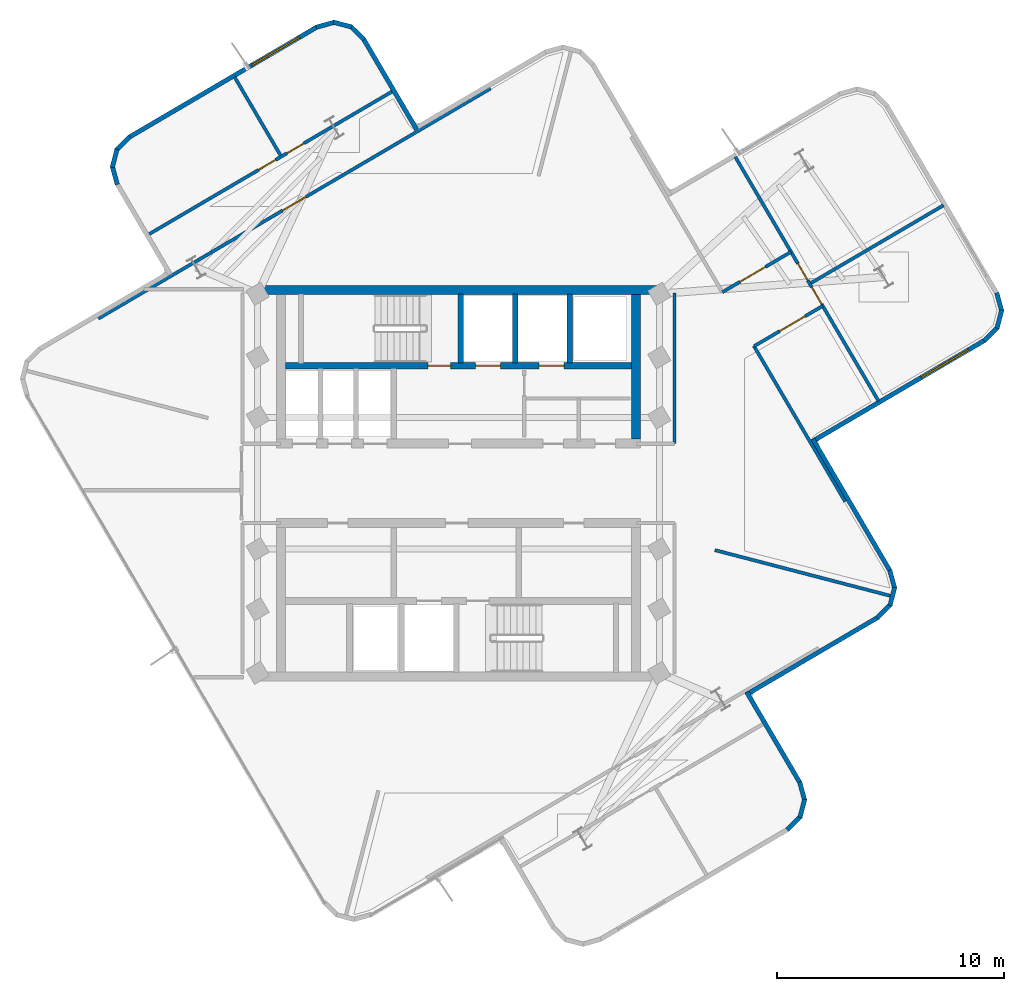
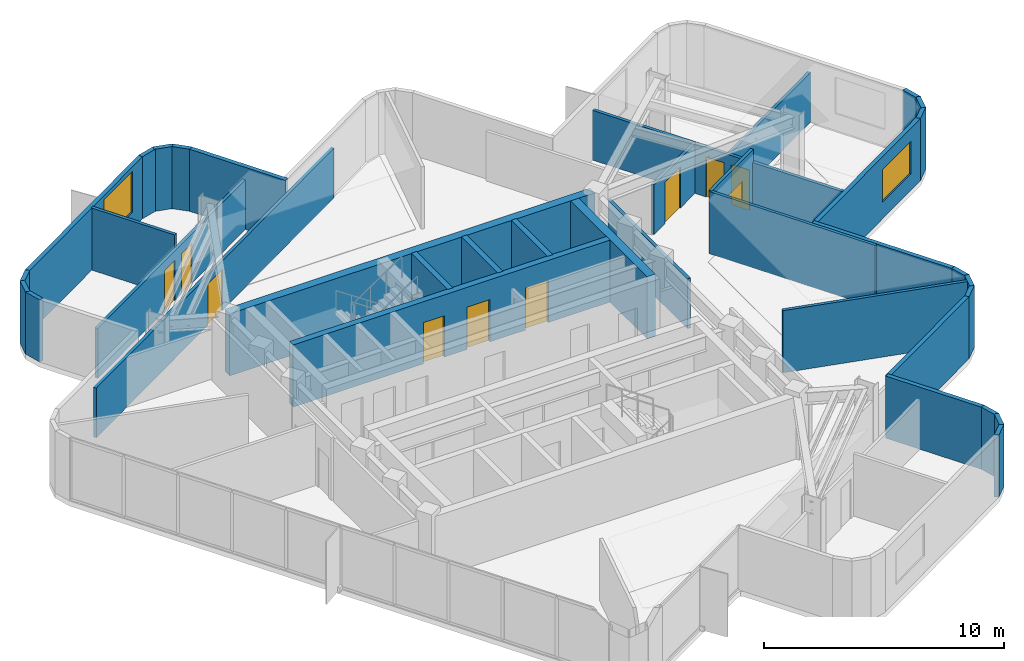
# One storey, part 6 of 9: 37 walls, 10 doors, 2 windows, 12 openings.
"""IFC4 building model written with IfcOpenShell, lengths in metres."""

from ifc_helpers import new_model, si_unit, direction, frame, frame_2d, origin, place, context, subcontext, project, spatial, rectangle, extrude, material, layer, layer_set, type_object, element, fill, save


model = new_model("IFC4")

# Units and contexts
model_context = context("Model", 3, precision=1e-05, world=origin(), true_north=direction((0.0, 1.0)))
body_context = subcontext(model_context, "Body", "Model", "MODEL_VIEW")
ifc_project = project(units=[si_unit("LENGTHUNIT", "METRE"), si_unit("AREAUNIT", "SQUARE_METRE"), si_unit("VOLUMEUNIT", "CUBIC_METRE"), si_unit("PLANEANGLEUNIT", "RADIAN"), si_unit("MASSUNIT", "GRAM", prefix="KILO")], contexts=[model_context])

# Site, building, storey
site_placement = place(None, origin())
site = spatial("IfcSite", under=ifc_project, at=site_placement, CompositionType="ELEMENT")
building_placement = place(site_placement, origin())
building = spatial("IfcBuilding", under=site, at=building_placement, Name="Solmarez Civic Tower", CompositionType="ELEMENT")
storey_placement = place(building_placement, frame((0.0, 0.0, 208.6201171875)))
storey = spatial("IfcBuildingStorey", under=building, at=storey_placement, Name="L55", CompositionType="ELEMENT", Elevation=208.6201171875)

# Walls
ifc_material_1 = material(Name="Concrete C50/60", Category="concrete")
ifc_layer_1 = layer(ifc_material_1, 0.39990234375)
ifc_layer_set_1 = layer_set([ifc_layer_1], Name="Concrete C50/60")
wall_type_1 = type_object("IfcWallType", Name="WALL-CORE-400", PredefinedType="SHEAR", material=ifc_layer_set_1)
wall_1_placement = place(storey_placement, frame((-8.780029296875, 8.510009765625, 0.0), z_axis=(0.0, 0.0, 1.0), x_axis=(1.0, 0.0, 0.0)))
element("IfcWall", 1, at=wall_1_placement, inside=storey, type_object=wall_type_1, Name="L55 Split-Core Structural Wall NCW-N-L55", PredefinedType="SHEAR", context=body_context, shape_type="SweptSolid", body=[
    extrude(rectangle(XDim=17.56005859375, YDim=0.39990234375, at=frame_2d((8.780029296875, 0.0))), origin(), (0.0, 0.0, 1.0), 3.159912109375),
])
wall_2_placement = place(storey_placement, frame((7.820068359375, 8.31005859375, 0.0), z_axis=(0.0, 0.0, 1.0), x_axis=(0.0, -1.0, 0.0)))
element("IfcWall", 2, at=wall_2_placement, inside=storey, type_object=wall_type_1, Name="L55 Split-Core Structural Wall NCW-E-L55", PredefinedType="SHEAR", context=body_context, shape_type="SweptSolid", body=[
    extrude(rectangle(XDim=6.360107421875, YDim=0.39990234375, at=frame_2d((3.18017578125, 0.0))), origin(), (0.0, 0.0, 1.0), 3.159912109375),
])
ifc_material_2 = material(Name="Precast concrete C40/50", Category="concrete")
ifc_layer_2 = layer(ifc_material_2, 0.199951171875)
ifc_layer_set_2 = layer_set([ifc_layer_2], Name="Precast concrete C40/50")
wall_type_2 = type_object("IfcWallType", Name="WALL-EXT-200", PredefinedType="SOLIDWALL", material=ifc_layer_set_2)
wall_3_placement = place(storey_placement, frame((-15.034912109375, 13.1640625, 0.0), z_axis=(0.0, 0.0, 1.0), x_axis=(-0.266246353668, 0.963905015631, 0.0)))
element("IfcWall", 3, at=wall_3_placement, inside=storey, type_object=wall_type_2, Name="L55 Exterior Precast Wall 14", PredefinedType="SOLIDWALL", context=body_context, shape_type="SweptSolid", body=[
    extrude(rectangle(XDim=0.838134765625, YDim=0.199951171875, at=frame_2d((0.4189453125, 0.0))), origin(), (0.0, 0.0, 1.0), 3.159912109375),
])
wall_4_placement = place(storey_placement, frame((-15.257080078125, 13.924072265625, 0.0), z_axis=(0.0, 0.0, 1.0), x_axis=(0.251167733737, 0.967943577658, 0.0)))
element("IfcWall", 4, at=wall_4_placement, inside=storey, type_object=wall_type_2, Name="L55 Exterior Precast Wall 15", PredefinedType="SOLIDWALL", context=body_context, shape_type="SweptSolid", body=[
    extrude(rectangle(XDim=0.82421875, YDim=0.199951171875, at=frame_2d((0.412109375, 0.0))), origin(), (0.0, 0.0, 1.0), 3.159912109375),
])
wall_5_placement = place(storey_placement, frame((-15.073974609375, 14.679931640625, 0.0), z_axis=(0.0, 0.0, 1.0), x_axis=(0.702877524881, 0.711310891957, 0.0)))
element("IfcWall", 5, at=wall_5_placement, inside=storey, type_object=wall_type_2, Name="L55 Exterior Precast Wall 16", PredefinedType="SOLIDWALL", context=body_context, shape_type="SweptSolid", body=[
    extrude(rectangle(XDim=0.839599609375, YDim=0.199951171875, at=frame_2d((0.419921875, 0.0))), origin(), (0.0, 0.0, 1.0), 3.159912109375),
])

# Wall, opening, window
wall_6_placement = place(storey_placement, frame((-14.52392578125, 15.24609375, 0.0), z_axis=(0.0, 0.0, 1.0), x_axis=(0.862483422861, 0.506085314241, 0.0)))
wall_6 = element("IfcWall", 6, at=wall_6_placement, inside=storey, type_object=wall_type_2, Name="L55 Exterior Precast Wall 17", PredefinedType="SOLIDWALL", context=body_context, shape_type="SweptSolid", body=[
    extrude(rectangle(XDim=9.62451171875, YDim=0.199951171875, at=frame_2d((4.812255859375, 0.0))), origin(), (0.0, 0.0, 1.0), 3.159912109375),
])
opening_1_placement = place(wall_6_placement, frame((6.306884765625, 0.0, 0.85009765625)))
opening_1 = element("IfcOpeningElement", 7, at=opening_1_placement, cuts=wall_6, Name="Opening W-02", PredefinedType="OPENING", context=body_context, shape_type="SweptSolid", body=[
    extrude(rectangle(XDim=2.39990234375, YDim=2.10009765625, at=frame_2d((1.199951171875, 1.050048828125))), frame((0.0, 0.10986328125, 0.0), z_axis=(0.0, -1.0, 0.0), x_axis=(1.0, 0.0, 0.0)), (0.0, 0.0, 1.0), 0.219970703125),
])
ifc_material_3 = material(Name="Solar Control Bronze-Tinted Insulating Glass", Category="glass")
window_type_1 = type_object("IfcWindowType", Name="WIN-2400X2100", PartitioningType="SINGLE_PANEL", PredefinedType="WINDOW", material=ifc_material_3)
window_1_placement = place(opening_1_placement, origin())
window_1 = element("IfcWindow", 8, at=window_1_placement, inside=storey, type_object=window_type_1, Name="L55 Exterior Facade Window 17", OverallHeight=2.10009765625, OverallWidth=2.39990234375, PartitioningType="SINGLE_PANEL", PredefinedType="WINDOW", context=body_context, shape_type="SweptSolid", body=[
    extrude(rectangle(XDim=2.39990234375, YDim=2.10009765625, at=frame_2d((1.199951171875, 1.050048828125))), frame((0.0, 0.030029296875, 0.0), z_axis=(0.0, -1.0, 0.0), x_axis=(1.0, 0.0, 0.0)), (0.0, 0.0, 1.0), 0.06005859375),
])
fill(opening_1, window_1)

# Walls
wall_7_placement = place(storey_placement, frame((-6.26904296875, 20.096923828125, 0.0), z_axis=(0.0, 0.0, 1.0), x_axis=(0.963925656212, 0.266171616247, 0.0)))
element("IfcWall", 9, at=wall_7_placement, inside=storey, type_object=wall_type_2, Name="L55 Exterior Precast Wall 18", PredefinedType="SOLIDWALL", context=body_context, shape_type="SweptSolid", body=[
    extrude(rectangle(XDim=0.83837890625, YDim=0.199951171875, at=frame_2d((0.419189453125, 0.0))), origin(), (0.0, 0.0, 1.0), 3.159912109375),
])
wall_8_placement = place(storey_placement, frame((-5.509033203125, 20.319091796875, 0.0), z_axis=(0.0, 0.0, 1.0), x_axis=(0.967962254737, -0.251095745493, 0.0)))
element("IfcWall", 10, at=wall_8_placement, inside=storey, type_object=wall_type_2, Name="L55 Exterior Precast Wall 19", PredefinedType="SOLIDWALL", context=body_context, shape_type="SweptSolid", body=[
    extrude(rectangle(XDim=0.824462890625, YDim=0.199951171875, at=frame_2d((0.412109375, 0.0))), origin(), (0.0, 0.0, 1.0), 3.159912109375),
])
wall_9_placement = place(storey_placement, frame((-4.7529296875, 20.135986328125, 0.0), z_axis=(0.0, 0.0, 1.0), x_axis=(0.711167178618, -0.70302293281, 0.0)))
element("IfcWall", 11, at=wall_9_placement, inside=storey, type_object=wall_type_2, Name="L55 Exterior Precast Wall 20", PredefinedType="SOLIDWALL", context=body_context, shape_type="SweptSolid", body=[
    extrude(rectangle(XDim=0.83935546875, YDim=0.199951171875, at=frame_2d((0.419677734375, 0.0))), origin(), (0.0, 0.0, 1.0), 3.159912109375),
])
wall_10_placement = place(storey_placement, frame((-4.18701171875, 19.5859375, 0.0), z_axis=(0.0, 0.0, 1.0), x_axis=(0.505936854923, -0.862570518178, 0.0)))
element("IfcWall", 12, at=wall_10_placement, inside=storey, type_object=wall_type_2, Name="L55 Exterior Precast Wall 21", PredefinedType="SOLIDWALL", context=body_context, shape_type="SweptSolid", body=[
    extrude(rectangle(XDim=4.640625, YDim=0.199951171875, at=frame_2d((2.3203125, 0.0))), origin(), (0.0, 0.0, 1.0), 3.159912109375),
])
wall_11_placement = place(storey_placement, frame((23.718994140625, 8.39404296875, 0.0), z_axis=(0.0, 0.0, 1.0), x_axis=(0.267253449678, -0.963626272803, 0.0)))
element("IfcWall", 13, at=wall_11_placement, inside=storey, type_object=wall_type_2, Name="L55 Exterior Precast Wall 36", PredefinedType="SOLIDWALL", context=body_context, shape_type="SweptSolid", body=[
    extrude(rectangle(XDim=0.838623046875, YDim=0.199951171875, at=frame_2d((0.41943359375, 0.0))), origin(), (0.0, 0.0, 1.0), 3.159912109375),
])
wall_12_placement = place(storey_placement, frame((23.94189453125, 7.634033203125, 0.0), z_axis=(0.0, 0.0, 1.0), x_axis=(-0.252494280442, -0.967598386906, 0.0)))
element("IfcWall", 14, at=wall_12_placement, inside=storey, type_object=wall_type_2, Name="L55 Exterior Precast Wall 37", PredefinedType="SOLIDWALL", context=body_context, shape_type="SweptSolid", body=[
    extrude(rectangle(XDim=0.82373046875, YDim=0.199951171875, at=frame_2d((0.411865234375, 0.0))), origin(), (0.0, 0.0, 1.0), 3.159912109375),
])
wall_13_placement = place(storey_placement, frame((23.758056640625, 6.87890625, 0.0), z_axis=(0.0, 0.0, 1.0), x_axis=(-0.701851868682, -0.712322928472, 0.0)))
element("IfcWall", 15, at=wall_13_placement, inside=storey, type_object=wall_type_2, Name="L55 Exterior Precast Wall 38", PredefinedType="SOLIDWALL", context=body_context, shape_type="SweptSolid", body=[
    extrude(rectangle(XDim=0.83935546875, YDim=0.199951171875, at=frame_2d((0.419677734375, 0.0))), origin(), (0.0, 0.0, 1.0), 3.159912109375),
])

# Wall, opening, window
wall_14_placement = place(storey_placement, frame((23.208984375, 6.31201171875, 0.0), z_axis=(0.0, 0.0, 1.0), x_axis=(-0.862602827395, -0.505881766988, 0.0)))
wall_14 = element("IfcWall", 16, at=wall_14_placement, inside=storey, type_object=wall_type_2, Name="L55 Exterior Precast Wall 39", PredefinedType="SOLIDWALL", context=body_context, shape_type="SweptSolid", body=[
    extrude(rectangle(XDim=8.841796875, YDim=0.199951171875, at=frame_2d((4.4208984375, 0.0))), origin(), (0.0, 0.0, 1.0), 3.159912109375),
])
opening_2_placement = place(wall_14_placement, frame((0.85009765625, 0.0, 0.85009765625)))
opening_2 = element("IfcOpeningElement", 17, at=opening_2_placement, cuts=wall_14, Name="Opening W-10", PredefinedType="OPENING", context=body_context, shape_type="SweptSolid", body=[
    extrude(rectangle(XDim=2.39990234375, YDim=1.64990234375, at=frame_2d((1.199951171875, 0.824951171875))), frame((0.0, 0.10986328125, 0.0), z_axis=(0.0, -1.0, 0.0), x_axis=(1.0, 0.0, 0.0)), (0.0, 0.0, 1.0), 0.219970703125),
])
window_type_2 = type_object("IfcWindowType", Name="WIN-2400X1650", PartitioningType="SINGLE_PANEL", PredefinedType="WINDOW", material=ifc_material_3)
window_2_placement = place(opening_2_placement, origin())
window_2 = element("IfcWindow", 18, at=window_2_placement, inside=storey, type_object=window_type_2, Name="L55 Exterior Facade Window 39", OverallHeight=1.64990234375, OverallWidth=2.39990234375, PartitioningType="SINGLE_PANEL", PredefinedType="WINDOW", context=body_context, shape_type="SweptSolid", body=[
    extrude(rectangle(XDim=2.39990234375, YDim=1.64990234375, at=frame_2d((1.199951171875, 0.824951171875))), frame((0.0, 0.030029296875, 0.0), z_axis=(0.0, -1.0, 0.0), x_axis=(1.0, 0.0, 0.0)), (0.0, 0.0, 1.0), 0.06005859375),
])
fill(opening_2, window_2)

# Walls
wall_15_placement = place(storey_placement, frame((15.611083984375, 1.947998046875, 0.0), z_axis=(0.0, 0.0, 1.0), x_axis=(0.505999167705, -0.862533965872, 0.0)))
element("IfcWall", 19, at=wall_15_placement, inside=storey, type_object=wall_type_2, Name="L55 Exterior Precast Wall 42", PredefinedType="SOLIDWALL", context=body_context, shape_type="SweptSolid", body=[
    extrude(rectangle(XDim=6.742919921875, YDim=0.199951171875, at=frame_2d((3.37158203125, 0.0))), origin(), (0.0, 0.0, 1.0), 3.159912109375),
])
wall_16_placement = place(storey_placement, frame((19.0029296875, -3.822021484375, 0.0), z_axis=(0.0, 0.0, 1.0), x_axis=(0.266246353668, -0.963905015631, 0.0)))
element("IfcWall", 20, at=wall_16_placement, inside=storey, type_object=wall_type_2, Name="L55 Exterior Precast Wall 43", PredefinedType="SOLIDWALL", context=body_context, shape_type="SweptSolid", body=[
    extrude(rectangle(XDim=0.838134765625, YDim=0.199951171875, at=frame_2d((0.4189453125, 0.0))), origin(), (0.0, 0.0, 1.0), 3.159912109375),
])
wall_17_placement = place(storey_placement, frame((19.22509765625, -4.58203125, 0.0), z_axis=(0.0, 0.0, 1.0), x_axis=(-0.251167733737, -0.967943577658, 0.0)))
element("IfcWall", 21, at=wall_17_placement, inside=storey, type_object=wall_type_2, Name="L55 Exterior Precast Wall 44", PredefinedType="SOLIDWALL", context=body_context, shape_type="SweptSolid", body=[
    extrude(rectangle(XDim=0.82421875, YDim=0.199951171875, at=frame_2d((0.412109375, 0.0))), origin(), (0.0, 0.0, 1.0), 3.159912109375),
])
wall_18_placement = place(storey_placement, frame((19.0419921875, -5.337890625, 0.0), z_axis=(0.0, 0.0, 1.0), x_axis=(-0.702877524881, -0.711310891957, 0.0)))
element("IfcWall", 22, at=wall_18_placement, inside=storey, type_object=wall_type_2, Name="L55 Exterior Precast Wall 45", PredefinedType="SOLIDWALL", context=body_context, shape_type="SweptSolid", body=[
    extrude(rectangle(XDim=0.839599609375, YDim=0.199951171875, at=frame_2d((0.419921875, 0.0))), origin(), (0.0, 0.0, 1.0), 3.159912109375),
])
wall_19_placement = place(storey_placement, frame((18.491943359375, -5.904052734375, 0.0), z_axis=(0.0, 0.0, 1.0), x_axis=(-0.86245977502, -0.506125613333, 0.0)))
element("IfcWall", 23, at=wall_19_placement, inside=storey, type_object=wall_type_2, Name="L55 Exterior Precast Wall 46", PredefinedType="SOLIDWALL", context=body_context, shape_type="SweptSolid", body=[
    extrude(rectangle(XDim=6.7412109375, YDim=0.199951171875, at=frame_2d((3.37060546875, 0.0))), origin(), (0.0, 0.0, 1.0), 3.159912109375),
])
wall_20_placement = place(storey_placement, frame((12.70703125, -9.20703125, 0.0), z_axis=(0.0, 0.0, 1.0), x_axis=(0.505936854923, -0.862570518178, 0.0)))
element("IfcWall", 24, at=wall_20_placement, inside=storey, type_object=wall_type_2, Name="L55 Exterior Precast Wall 49", PredefinedType="SOLIDWALL", context=body_context, shape_type="SweptSolid", body=[
    extrude(rectangle(XDim=4.640625, YDim=0.199951171875, at=frame_2d((2.3203125, 0.0))), origin(), (0.0, 0.0, 1.0), 3.159912109375),
])
wall_21_placement = place(storey_placement, frame((15.034912109375, -13.1640625, 0.0), z_axis=(0.0, 0.0, 1.0), x_axis=(0.266246353668, -0.963905015631, 0.0)))
element("IfcWall", 25, at=wall_21_placement, inside=storey, type_object=wall_type_2, Name="L55 Exterior Precast Wall 50", PredefinedType="SOLIDWALL", context=body_context, shape_type="SweptSolid", body=[
    extrude(rectangle(XDim=0.838134765625, YDim=0.199951171875, at=frame_2d((0.4189453125, 0.0))), origin(), (0.0, 0.0, 1.0), 3.159912109375),
])
wall_22_placement = place(storey_placement, frame((15.257080078125, -13.924072265625, 0.0), z_axis=(0.0, 0.0, 1.0), x_axis=(-0.251167733737, -0.967943577658, 0.0)))
element("IfcWall", 26, at=wall_22_placement, inside=storey, type_object=wall_type_2, Name="L55 Exterior Precast Wall 51", PredefinedType="SOLIDWALL", context=body_context, shape_type="SweptSolid", body=[
    extrude(rectangle(XDim=0.82421875, YDim=0.199951171875, at=frame_2d((0.412109375, 0.0))), origin(), (0.0, 0.0, 1.0), 3.159912109375),
])
wall_23_placement = place(storey_placement, frame((15.073974609375, -14.679931640625, 0.0), z_axis=(0.0, 0.0, 1.0), x_axis=(-0.702877524881, -0.711310891957, 0.0)))
element("IfcWall", 27, at=wall_23_placement, inside=storey, type_object=wall_type_2, Name="L55 Exterior Precast Wall 52", PredefinedType="SOLIDWALL", context=body_context, shape_type="SweptSolid", body=[
    extrude(rectangle(XDim=0.839599609375, YDim=0.199951171875, at=frame_2d((0.419921875, 0.0))), origin(), (0.0, 0.0, 1.0), 3.159912109375),
])
ifc_material_4 = material(Name="Gypsum Board Acoustic Steel-Stud Partition", Category="steel")
ifc_layer_3 = layer(ifc_material_4, 0.14990234375)
ifc_layer_set_3 = layer_set([ifc_layer_3], Name="Gypsum Board Acoustic Steel-Stud Partition")
wall_type_3 = type_object("IfcWallType", Name="WALL-INT-FIRE-150", PredefinedType="PARTITIONING", material=ifc_layer_set_3)
wall_24_placement = place(storey_placement, frame((9.52001953125, 1.75, 0.0), z_axis=(0.0, 0.0, 1.0), x_axis=(0.0, 1.0, 0.0)))
element("IfcWall", 28, at=wall_24_placement, inside=storey, type_object=wall_type_3, Name="L55 Interior Partition CHW-L55-EN1", PredefinedType="PARTITIONING", context=body_context, shape_type="SweptSolid", body=[
    extrude(rectangle(XDim=6.6298828125, YDim=0.14990234375, at=frame_2d((3.31494140625, 0.0))), origin(), (0.0, 0.0, 1.0), 2.52978515625),
])
ifc_layer_4 = layer(ifc_material_4, 0.14501953125)
ifc_layer_set_4 = layer_set([ifc_layer_4], Name="Gypsum Board Acoustic Steel-Stud Partition")
wall_type_4 = type_object("IfcWallType", Name="WALL-INT-PART-150", PredefinedType="PARTITIONING", material=ifc_layer_set_4)
wall_25_placement = place(storey_placement, frame((11.300048828125, -2.944091796875, 0.0), z_axis=(0.0, 0.0, 1.0), x_axis=(0.967711624716, -0.252059936106, 0.0)))
element("IfcWall", 29, at=wall_25_placement, inside=storey, type_object=wall_type_4, Name="L55 Interior Partition PT-L55-QDIV-4", PredefinedType="PARTITIONING", context=body_context, shape_type="SweptSolid", body=[
    extrude(rectangle(XDim=8.017822265625, YDim=0.14501953125, at=frame_2d((4.0087890625, 0.0))), origin(), (0.0, 0.0, 1.0), 3.159912109375),
])
wall_26_placement = place(storey_placement, frame((17.041015625, -0.806884765625, 0.0), z_axis=(0.0, 0.0, 1.0), x_axis=(-0.505943324238, 0.862566723598, 0.0)))
element("IfcWall", 30, at=wall_26_placement, inside=storey, type_object=wall_type_4, Name="L55 Interior Partition PT-L55-E-EFR", PredefinedType="PARTITIONING", context=body_context, shape_type="SweptSolid", body=[
    extrude(rectangle(XDim=7.949462890625, YDim=0.14501953125, at=frame_2d((3.974609375, 0.0))), origin(), (0.0, 0.0, 1.0), 3.159912109375),
])

# Wall, opening, door
wall_27_placement = place(storey_placement, frame((14.654052734375, 10.197998046875, 0.0), z_axis=(0.0, 0.0, 1.0), x_axis=(-0.862375516706, -0.506269165747, 0.0)))
wall_27 = element("IfcWall", 31, at=wall_27_placement, inside=storey, type_object=wall_type_4, Name="L55 Interior Partition PT-L55-E-SL", PredefinedType="PARTITIONING", context=body_context, shape_type="SweptSolid", body=[
    extrude(rectangle(XDim=3.51025390625, YDim=0.14501953125, at=frame_2d((1.755126953125, 0.0))), origin(), (0.0, 0.0, 1.0), 2.52978515625),
])
opening_3_placement = place(wall_27_placement, frame((1.304931640625, 0.0, 0.0)))
opening_3 = element("IfcOpeningElement", 32, at=opening_3_placement, cuts=wall_27, Name="Opening D-15", PredefinedType="OPENING", context=body_context, shape_type="SweptSolid", body=[
    extrude(rectangle(XDim=1.300048828125, YDim=2.10009765625, at=frame_2d((0.64990234375, 1.050048828125))), frame((0.0, 0.08251953125, 0.0), z_axis=(0.0, -1.0, 0.0), x_axis=(1.0, 0.0, 0.0)), (0.0, 0.0, 1.0), 0.1650390625),
])
ifc_material_5 = material(Name="Tribunal Hearing Conference Door", Category="wood")
door_type_1 = type_object("IfcDoorType", Name="DOOR-INT-1300", OperationType="NOTDEFINED", PredefinedType="DOOR", material=ifc_material_5)
door_1_placement = place(opening_3_placement, origin())
door_1 = element("IfcDoor", 33, at=door_1_placement, inside=storey, type_object=door_type_1, Name="L55 Ministry Open Workspace East Door", OperationType="SINGLE_SWING_LEFT", OverallHeight=2.10009765625, OverallWidth=1.300048828125, PredefinedType="DOOR", context=body_context, shape_type="SweptSolid", body=[
    extrude(rectangle(XDim=1.300048828125, YDim=2.10009765625, at=frame_2d((0.64990234375, 1.050048828125))), frame((0.0, 0.02490234375, 0.0), z_axis=(0.0, -1.0, 0.0), x_axis=(1.0, 0.0, 0.0)), (0.0, 0.0, 1.0), 0.050048828125),
])
fill(opening_3, door_1)

wall_28_placement = place(storey_placement, frame((13.02392578125, 6.041015625, 0.0), z_axis=(0.0, 0.0, 1.0), x_axis=(0.862527334663, 0.506010471195, 0.0)))
wall_28 = element("IfcWall", 34, at=wall_28_placement, inside=storey, type_object=wall_type_4, Name="L55 Interior Partition PT-L55-E-SR", PredefinedType="PARTITIONING", context=body_context, shape_type="SweptSolid", body=[
    extrude(rectangle(XDim=3.509521484375, YDim=0.14501953125, at=frame_2d((1.7548828125, 0.0))), origin(), (0.0, 0.0, 1.0), 3.159912109375),
])
opening_4_placement = place(wall_28_placement, frame((1.304931640625, 0.0, 0.0)))
opening_4 = element("IfcOpeningElement", 35, at=opening_4_placement, cuts=wall_28, Name="Opening D-15", PredefinedType="OPENING", context=body_context, shape_type="SweptSolid", body=[
    extrude(rectangle(XDim=1.300048828125, YDim=2.10009765625, at=frame_2d((0.64990234375, 1.050048828125))), frame((0.0, 0.08251953125, 0.0), z_axis=(0.0, -1.0, 0.0), x_axis=(1.0, 0.0, 0.0)), (0.0, 0.0, 1.0), 0.1650390625),
])
door_2_placement = place(opening_4_placement, origin())
door_2 = element("IfcDoor", 36, at=door_2_placement, inside=storey, type_object=door_type_1, Name="L55 Directorate Office East Door", OperationType="SINGLE_SWING_RIGHT", OverallHeight=2.10009765625, OverallWidth=1.300048828125, PredefinedType="DOOR", context=body_context, shape_type="SweptSolid", body=[
    extrude(rectangle(XDim=1.300048828125, YDim=2.10009765625, at=frame_2d((0.64990234375, 1.050048828125))), frame((0.0, 0.02490234375, 0.0), z_axis=(0.0, -1.0, 0.0), x_axis=(1.0, 0.0, 0.0)), (0.0, 0.0, 1.0), 0.050048828125),
])
fill(opening_4, door_2)

# Wall
wall_29_placement = place(storey_placement, frame((15.531005859375, 8.822021484375, 0.0), z_axis=(0.0, 0.0, 1.0), x_axis=(0.862494081005, 0.506067149923, 0.0)))
element("IfcWall", 37, at=wall_29_placement, inside=storey, type_object=wall_type_4, Name="L55 Interior Partition PT-L55-E-TM", PredefinedType="PARTITIONING", context=body_context, shape_type="SweptSolid", body=[
    extrude(rectangle(XDim=6.775634765625, YDim=0.14501953125, at=frame_2d((3.3876953125, 0.0))), origin(), (0.0, 0.0, 1.0), 2.52978515625),
])

# Wall, openings, doors
wall_30_placement = place(storey_placement, frame((12.197998046875, 14.385009765625, 0.0), z_axis=(0.0, 0.0, 1.0), x_axis=(0.506037527975, -0.862511460956, 0.0)))
wall_30 = element("IfcWall", 38, at=wall_30_placement, inside=storey, type_object=wall_type_4, Name="L55 Interior Partition PT-L55-E-END", PredefinedType="PARTITIONING", context=body_context, shape_type="SweptSolid", body=[
    extrude(rectangle(XDim=12.469482421875, YDim=0.14501953125, at=frame_2d((6.23486328125, 0.0))), origin(), (0.0, 0.0, 1.0), 2.52978515625),
])
opening_5_placement = place(wall_30_placement, frame((6.655029296875, 0.0, 0.0)))
opening_5 = element("IfcOpeningElement", 39, at=opening_5_placement, cuts=wall_30, Name="Opening D-14", PredefinedType="OPENING", context=body_context, shape_type="SweptSolid", body=[
    extrude(rectangle(XDim=0.860107421875, YDim=2.0400390625, at=frame_2d((0.43017578125, 1.02001953125))), frame((0.0, 0.08251953125, 0.0), z_axis=(0.0, -1.0, 0.0), x_axis=(1.0, 0.0, 0.0)), (0.0, 0.0, 1.0), 0.1650390625),
])
opening_6_placement = place(wall_30_placement, frame((5.455078125, 0.0, 0.0)))
opening_6 = element("IfcOpeningElement", 40, at=opening_6_placement, cuts=wall_30, Name="Opening D-14", PredefinedType="OPENING", context=body_context, shape_type="SweptSolid", body=[
    extrude(rectangle(XDim=0.860107421875, YDim=2.0400390625, at=frame_2d((0.43017578125, 1.02001953125))), frame((0.0, 0.08251953125, 0.0), z_axis=(0.0, -1.0, 0.0), x_axis=(1.0, 0.0, 0.0)), (0.0, 0.0, 1.0), 0.1650390625),
])
ifc_material_6 = material(Name="Timber Storage and Pantry Door", Category="wood")
door_type_2 = type_object("IfcDoorType", Name="DOOR-INT-850", OperationType="NOTDEFINED", PredefinedType="DOOR", material=ifc_material_6)
door_3_placement = place(opening_5_placement, origin())
door_3 = element("IfcDoor", 41, at=door_3_placement, inside=storey, type_object=door_type_2, Name="L55 Staff Pantry Sixth East Door", OperationType="SINGLE_SWING_RIGHT", OverallHeight=2.0400390625, OverallWidth=0.860107421875, PredefinedType="DOOR", context=body_context, shape_type="SweptSolid", body=[
    extrude(rectangle(XDim=0.860107421875, YDim=2.0400390625, at=frame_2d((0.43017578125, 1.02001953125))), frame((0.0, 0.02490234375, 0.0), z_axis=(0.0, -1.0, 0.0), x_axis=(1.0, 0.0, 0.0)), (0.0, 0.0, 1.0), 0.050048828125),
])
fill(opening_5, door_3)
door_4_placement = place(opening_6_placement, origin())
door_4 = element("IfcDoor", 42, at=door_4_placement, inside=storey, type_object=door_type_2, Name="L55 Policy Boardroom Fifth East Door", OperationType="SINGLE_SWING_LEFT", OverallHeight=2.0400390625, OverallWidth=0.860107421875, PredefinedType="DOOR", context=body_context, shape_type="SweptSolid", body=[
    extrude(rectangle(XDim=0.860107421875, YDim=2.0400390625, at=frame_2d((0.43017578125, 1.02001953125))), frame((0.0, 0.02490234375, 0.0), z_axis=(0.0, -1.0, 0.0), x_axis=(1.0, 0.0, 0.0)), (0.0, 0.0, 1.0), 0.050048828125),
])
fill(opening_6, door_4)

# Wall, opening, door
wall_31_placement = place(storey_placement, frame((-15.873046875, 7.2548828125, 0.0), z_axis=(0.0, 0.0, 1.0), x_axis=(0.862498672631, 0.506059324299, 0.0)))
wall_31 = element("IfcWall", 43, at=wall_31_placement, inside=storey, type_object=wall_type_4, Name="L55 Interior Partition PT-L55-N-ENT", PredefinedType="PARTITIONING", context=body_context, shape_type="SweptSolid", body=[
    extrude(rectangle(XDim=20.039306640625, YDim=0.14501953125, at=frame_2d((10.01953125, 0.0))), origin(), (0.0, 0.0, 1.0), 2.52978515625),
])
opening_7_placement = place(wall_31_placement, frame((9.419921875, 0.0, 0.0)))
opening_7 = element("IfcOpeningElement", 44, at=opening_7_placement, cuts=wall_31, Name="Opening D-11", PredefinedType="OPENING", context=body_context, shape_type="SweptSolid", body=[
    extrude(rectangle(XDim=1.199951171875, YDim=2.10009765625, at=frame_2d((0.60009765625, 1.050048828125))), frame((0.0, 0.08251953125, 0.0), z_axis=(0.0, -1.0, 0.0), x_axis=(1.0, 0.0, 0.0)), (0.0, 0.0, 1.0), 0.1650390625),
])
ifc_material_7 = material(Name="Glazed-Vision Acoustic Chamber Door", Category="wood")
door_type_3 = type_object("IfcDoorType", Name="DOOR-INT-1200", OperationType="NOTDEFINED", PredefinedType="DOOR", material=ifc_material_7)
door_5_placement = place(opening_7_placement, origin())
door_5 = element("IfcDoor", 45, at=door_5_placement, inside=storey, type_object=door_type_3, Name="L55 Directorate Office First North Door", OperationType="SINGLE_SWING_LEFT", OverallHeight=2.10009765625, OverallWidth=1.199951171875, PredefinedType="DOOR", context=body_context, shape_type="SweptSolid", body=[
    extrude(rectangle(XDim=1.199951171875, YDim=2.10009765625, at=frame_2d((0.60009765625, 1.050048828125))), frame((0.0, 0.02490234375, 0.0), z_axis=(0.0, -1.0, 0.0), x_axis=(1.0, 0.0, 0.0)), (0.0, 0.0, 1.0), 0.050048828125),
])
fill(opening_7, door_5)

# Wall
wall_32_placement = place(storey_placement, frame((-7.840087890625, 14.448974609375, 0.0), z_axis=(0.0, 0.0, 1.0), x_axis=(-0.505991637753, 0.862538383218, 0.0)))
element("IfcWall", 46, at=wall_32_placement, inside=storey, type_object=wall_type_4, Name="L55 Interior Partition PT-L55-N-TSP", PredefinedType="PARTITIONING", context=body_context, shape_type="SweptSolid", body=[
    extrude(rectangle(XDim=4.005615234375, YDim=0.14501953125, at=frame_2d((2.0029296875, 0.0))), origin(), (0.0, 0.0, 1.0), 3.159912109375),
])

# Wall, openings, doors
wall_33_placement = place(storey_placement, frame((-2.906005859375, 17.27490234375, 0.0), z_axis=(0.0, 0.0, 1.0), x_axis=(-0.862505879614, -0.506047040927, 0.0)))
wall_33 = element("IfcWall", 47, at=wall_33_placement, inside=storey, type_object=wall_type_4, Name="L55 Interior Partition PT-L55-N-SCUT", PredefinedType="PARTITIONING", context=body_context, shape_type="SweptSolid", body=[
    extrude(rectangle(XDim=12.470703125, YDim=0.14501953125, at=frame_2d((6.2353515625, 0.0))), origin(), (0.0, 0.0, 1.0), 2.52978515625),
])
opening_8_placement = place(wall_33_placement, frame((4.534912109375, 0.0, 0.0)))
opening_8 = element("IfcOpeningElement", 48, at=opening_8_placement, cuts=wall_33, Name="Opening D-14", PredefinedType="OPENING", context=body_context, shape_type="SweptSolid", body=[
    extrude(rectangle(XDim=0.860107421875, YDim=2.0400390625, at=frame_2d((0.43017578125, 1.02001953125))), frame((0.0, 0.08251953125, 0.0), z_axis=(0.0, -1.0, 0.0), x_axis=(1.0, 0.0, 0.0)), (0.0, 0.0, 1.0), 0.1650390625),
])
opening_9_placement = place(wall_33_placement, frame((5.97509765625, 0.0, 0.0)))
opening_9 = element("IfcOpeningElement", 49, at=opening_9_placement, cuts=wall_33, Name="Opening D-14", PredefinedType="OPENING", context=body_context, shape_type="SweptSolid", body=[
    extrude(rectangle(XDim=0.860107421875, YDim=2.0400390625, at=frame_2d((0.43017578125, 1.02001953125))), frame((0.0, 0.08251953125, 0.0), z_axis=(0.0, -1.0, 0.0), x_axis=(1.0, 0.0, 0.0)), (0.0, 0.0, 1.0), 0.1650390625),
])
door_6_placement = place(opening_8_placement, origin())
door_6 = element("IfcDoor", 50, at=door_6_placement, inside=storey, type_object=door_type_2, Name="L55 Staff Pantry Third North Door", OperationType="SINGLE_SWING_RIGHT", OverallHeight=2.0400390625, OverallWidth=0.860107421875, PredefinedType="DOOR", context=body_context, shape_type="SweptSolid", body=[
    extrude(rectangle(XDim=0.860107421875, YDim=2.0400390625, at=frame_2d((0.43017578125, 1.02001953125))), frame((0.0, 0.02490234375, 0.0), z_axis=(0.0, -1.0, 0.0), x_axis=(1.0, 0.0, 0.0)), (0.0, 0.0, 1.0), 0.050048828125),
])
fill(opening_8, door_6)
door_7_placement = place(opening_9_placement, origin())
door_7 = element("IfcDoor", 51, at=door_7_placement, inside=storey, type_object=door_type_2, Name="L55 Policy Boardroom Second North Door", OperationType="SINGLE_SWING_LEFT", OverallHeight=2.0400390625, OverallWidth=0.860107421875, PredefinedType="DOOR", context=body_context, shape_type="SweptSolid", body=[
    extrude(rectangle(XDim=0.860107421875, YDim=2.0400390625, at=frame_2d((0.43017578125, 1.02001953125))), frame((0.0, 0.02490234375, 0.0), z_axis=(0.0, -1.0, 0.0), x_axis=(1.0, 0.0, 0.0)), (0.0, 0.0, 1.0), 0.050048828125),
])
fill(opening_9, door_7)

ifc_layer_5 = layer(ifc_material_1, 0.300048828125)
ifc_layer_set_5 = layer_set([ifc_layer_5], Name="Concrete C50/60")
wall_type_5 = type_object("IfcWallType", Name="WALL-STR-300", PredefinedType="SOLIDWALL", material=ifc_layer_set_5)
wall_34_placement = place(storey_placement, frame((7.6201171875, 5.179931640625, 0.0), z_axis=(0.0, 0.0, 1.0), x_axis=(-1.0, 0.0, 0.0)))
wall_34 = element("IfcWall", 52, at=wall_34_placement, inside=storey, type_object=wall_type_5, Name="L55 Split-Core Structural Wall NCW-M-L55", PredefinedType="SOLIDWALL", context=body_context, shape_type="SweptSolid", body=[
    extrude(rectangle(XDim=15.240234375, YDim=0.300048828125, at=frame_2d((7.6201171875, 0.0))), origin(), (0.0, 0.0, 1.0), 3.159912109375),
])
opening_10_placement = place(wall_34_placement, frame((5.77001953125, 0.0, 0.0)))
opening_10 = element("IfcOpeningElement", 53, at=opening_10_placement, cuts=wall_34, Name="Opening LD-02", PredefinedType="OPENING", context=body_context, shape_type="SweptSolid", body=[
    extrude(rectangle(XDim=1.10009765625, YDim=2.14990234375, at=frame_2d((0.550048828125, 1.074951171875))), frame((0.0, 0.159912109375, 0.0), z_axis=(0.0, -1.0, 0.0), x_axis=(1.0, 0.0, 0.0)), (0.0, 0.0, 1.0), 0.320068359375),
])
opening_11_placement = place(wall_34_placement, frame((2.969970703125, 0.0, 0.0)))
opening_11 = element("IfcOpeningElement", 54, at=opening_11_placement, cuts=wall_34, Name="Opening LD-03", PredefinedType="OPENING", context=body_context, shape_type="SweptSolid", body=[
    extrude(rectangle(XDim=1.10009765625, YDim=2.14990234375, at=frame_2d((0.550048828125, 1.074951171875))), frame((0.0, 0.159912109375, 0.0), z_axis=(0.0, -1.0, 0.0), x_axis=(1.0, 0.0, 0.0)), (0.0, 0.0, 1.0), 0.320068359375),
])
opening_12_placement = place(wall_34_placement, frame((7.969970703125, 0.0, 0.0)))
opening_12 = element("IfcOpeningElement", 55, at=opening_12_placement, cuts=wall_34, Name="Opening D-05", PredefinedType="OPENING", context=body_context, shape_type="SweptSolid", body=[
    extrude(rectangle(XDim=1.0, YDim=2.10009765625, at=frame_2d((0.5, 1.050048828125))), frame((0.0, 0.159912109375, 0.0), z_axis=(0.0, -1.0, 0.0), x_axis=(1.0, 0.0, 0.0)), (0.0, 0.0, 1.0), 0.320068359375),
])
ifc_material_8 = material(Name="Fire-Rated Stairwell Exit Door", Category="wood")
door_type_4 = type_object("IfcDoorType", Name="DOOR-FD90-1000", OperationType="NOTDEFINED", PredefinedType="DOOR", material=ifc_material_8)
door_8_placement = place(opening_12_placement, origin())
door_8 = element("IfcDoor", 56, at=door_8_placement, inside=storey, type_object=door_type_4, Name="L55 North Exit Stair Door ST-1", OperationType="SINGLE_SWING_RIGHT", OverallHeight=2.10009765625, OverallWidth=1.0, PredefinedType="DOOR", context=body_context, shape_type="SweptSolid", body=[
    extrude(rectangle(XDim=1.0, YDim=2.10009765625, at=frame_2d((0.5, 1.050048828125))), frame((0.0, 0.02490234375, 0.0), z_axis=(0.0, -1.0, 0.0), x_axis=(1.0, 0.0, 0.0)), (0.0, 0.0, 1.0), 0.050048828125),
])
fill(opening_12, door_8)
ifc_material_9 = material(Name="Stainless Firefighting Lift Landing Sliding Door", Category="aluminium")
door_type_5 = type_object("IfcDoorType", Name="DOOR-LD-FF-1100", OperationType="DOUBLE_DOOR_SLIDING", PredefinedType="DOOR", material=ifc_material_9)
door_9_placement = place(opening_10_placement, origin())
door_9 = element("IfcDoor", 57, at=door_9_placement, inside=storey, type_object=door_type_5, Name="L55 Firefighting Lift Landing Door FFL-1", OperationType="DOUBLE_DOOR_SLIDING", OverallHeight=2.14990234375, OverallWidth=1.10009765625, PredefinedType="DOOR", context=body_context, shape_type="SweptSolid", body=[
    extrude(rectangle(XDim=1.10009765625, YDim=2.14990234375, at=frame_2d((0.550048828125, 1.074951171875))), frame((0.0, 0.02490234375, 0.0), z_axis=(0.0, -1.0, 0.0), x_axis=(1.0, 0.0, 0.0)), (0.0, 0.0, 1.0), 0.050048828125),
])
fill(opening_10, door_9)
ifc_material_10 = material(Name="Stainless Stretcher Lift Landing Sliding Door", Category="aluminium")
door_type_6 = type_object("IfcDoorType", Name="DOOR-LD-SV-1100", OperationType="DOUBLE_DOOR_SLIDING", PredefinedType="DOOR", material=ifc_material_10)
door_10_placement = place(opening_11_placement, origin())
door_10 = element("IfcDoor", 58, at=door_10_placement, inside=storey, type_object=door_type_6, Name="L55 Service Stretcher Lift Landing Door SVL-1", OperationType="DOUBLE_DOOR_SLIDING", OverallHeight=2.14990234375, OverallWidth=1.10009765625, PredefinedType="DOOR", context=body_context, shape_type="SweptSolid", body=[
    extrude(rectangle(XDim=1.10009765625, YDim=2.14990234375, at=frame_2d((0.550048828125, 1.074951171875))), frame((0.0, 0.02490234375, 0.0), z_axis=(0.0, -1.0, 0.0), x_axis=(1.0, 0.0, 0.0)), (0.0, 0.0, 1.0), 0.050048828125),
])
fill(opening_11, door_10)

# Walls
for number, where, z_axis, x_axis, name in (
    (59, (0.10009765625, 5.300048828125, 0.0), (0.0, 0.0, 1.0), (0.0, 1.0, 0.0), "L55 Split-Core Structural Wall SHW-N1-L55"),
    (60, (2.5, 5.300048828125, 0.0), (0.0, 0.0, 1.0), (0.0, 1.0, 0.0), "L55 Split-Core Structural Wall SHW-N2-L55"),
    (61, (4.89990234375, 5.300048828125, 0.0), (0.0, 0.0, 1.0), (0.0, 1.0, 0.0), "L55 Split-Core Structural Wall SHW-N3-L55"),
):
    element("IfcWall", number, at=place(storey_placement, frame(where, z_axis=z_axis, x_axis=x_axis)), inside=storey, type_object=wall_type_5, Name=name, PredefinedType="SOLIDWALL", context=body_context, shape_type="SweptSolid", body=[
        extrude(rectangle(XDim=3.0400390625, YDim=0.25, at=frame_2d((1.52001953125, 0.0))), origin(), (0.0, 0.0, 1.0), 3.159912109375),
    ])

save(model, "model.ifc")
